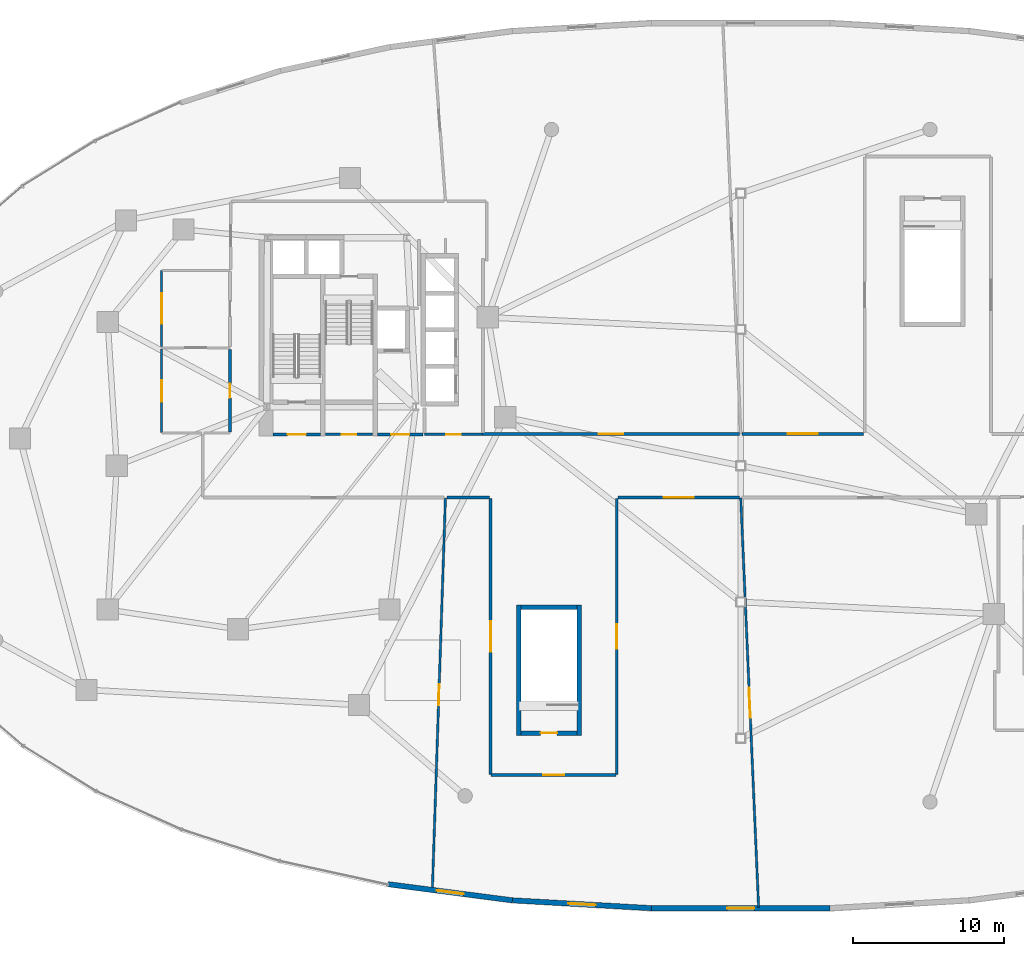
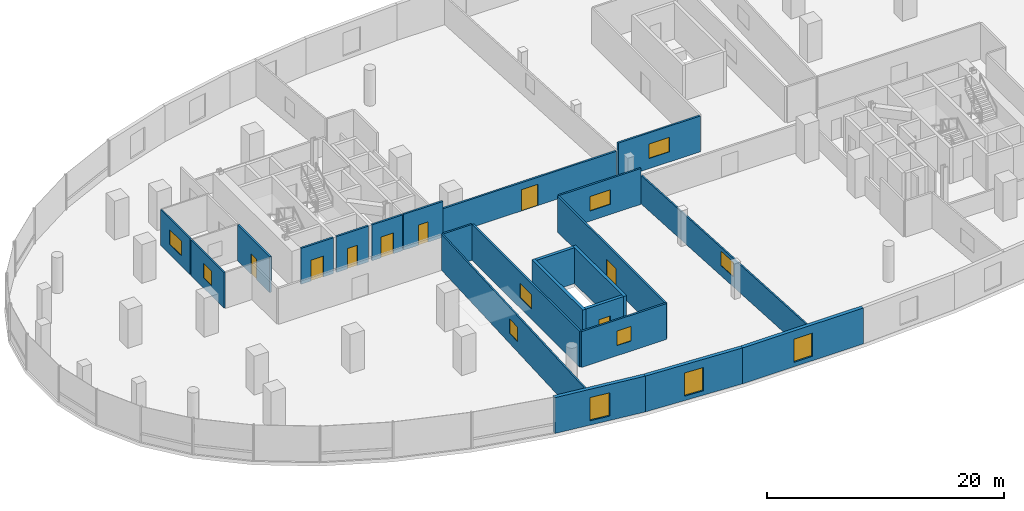
# One storey, part 12 of 18: 23 walls, 11 windows, 8 doors, 19 openings.
"""IFC4 building model written with IfcOpenShell, lengths in metres."""

from ifc_helpers import new_model, si_unit, direction, frame, frame_2d, origin, place, context, subcontext, project, spatial, rectangle, extrude, material, layer, layer_set, type_object, element, fill, save


model = new_model("IFC4")

# Units and contexts
model_context = context("Model", 3, precision=1e-05, world=origin(), true_north=direction((0.0, 1.0)))
body_context = subcontext(model_context, "Body", "Model", "MODEL_VIEW")
ifc_project = project(units=[si_unit("LENGTHUNIT", "METRE"), si_unit("AREAUNIT", "SQUARE_METRE"), si_unit("VOLUMEUNIT", "CUBIC_METRE"), si_unit("PLANEANGLEUNIT", "RADIAN"), si_unit("MASSUNIT", "GRAM", prefix="KILO"), si_unit("THERMODYNAMICTEMPERATUREUNIT", "KELVIN"), si_unit("POWERUNIT", "WATT")], contexts=[model_context])

# Site, building, storey
site_placement = place(None, origin())
site = spatial("IfcSite", under=ifc_project, at=site_placement, CompositionType="ELEMENT")
building_placement = place(site_placement, origin())
building = spatial("IfcBuilding", under=site, at=building_placement, Name="Cundina Bronze Exchange", CompositionType="ELEMENT")
storey_placement = place(building_placement, frame((0.0, 0.0, 20.0)))
storey = spatial("IfcBuildingStorey", under=building, at=storey_placement, Name="L04", CompositionType="ELEMENT", Elevation=20.0)

# Wall, opening, door
ifc_material_1 = material(Name="Gypsum Fireboard Partition EI120")
ifc_layer_1 = layer(ifc_material_1, 0.179931640625, Name="Gypsum Fireboard Partition EI120")
ifc_layer_set_1 = layer_set([ifc_layer_1], Name="Gypsum Fireboard Partition EI120")
wall_type_1 = type_object("IfcWallType", Name="WL-COR-180", PredefinedType="PARTITIONING", material=ifc_layer_set_1)
wall_1_placement = place(storey_placement, frame((-23.97998046875, 2.06005859375, 0.0), z_axis=(0.0, 0.0, 1.0), x_axis=(1.0, 0.0, 0.0)))
wall_1 = element("IfcWall", 1, at=wall_1_placement, inside=storey, type_object=wall_type_1, Name="L04 W Firefighting Lobby Exit Wall", PredefinedType="PARTITIONING", context=body_context, shape_type="SweptSolid", body=[
    extrude(rectangle(XDim=3.0, YDim=0.179931640625, at=frame_2d((1.5, 0.0))), origin(), (0.0, 0.0, 1.0), 3.699951171875),
])
opening_1_placement = place(wall_1_placement, frame((0.89990234375, 0.0, 0.0)))
opening_1 = element("IfcOpeningElement", 2, at=opening_1_placement, cuts=wall_1, Name="Opening DF-01", PredefinedType="OPENING", context=body_context, shape_type="SweptSolid", body=[
    extrude(rectangle(XDim=1.199951171875, YDim=2.14990234375, at=frame_2d((0.60009765625, 1.074951171875))), frame((0.0, 0.099853515625, 0.0), z_axis=(0.0, -1.0, 0.0), x_axis=(1.0, 0.0, 0.0)), (0.0, 0.0, 1.0), 0.199951171875),
])
ifc_material_2 = material(Name="Steel ASTM A36 Painted", Category="steel")
door_type_1 = type_object("IfcDoorType", Name="DR-FFL-1200", OperationType="NOTDEFINED", PredefinedType="DOOR", material=ifc_material_2)
door_1_placement = place(opening_1_placement, origin())
door_1 = element("IfcDoor", 3, at=door_1_placement, inside=storey, type_object=door_type_1, Name="L04 W Firefighting Lobby Door", OperationType="SINGLE_SWING_RIGHT", OverallHeight=2.14990234375, OverallWidth=1.199951171875, PredefinedType="DOOR", context=body_context, shape_type="SweptSolid", body=[
    extrude(rectangle(XDim=1.199951171875, YDim=2.14990234375, at=frame_2d((0.60009765625, 1.074951171875))), frame((0.0, 0.02490234375, 0.0), z_axis=(0.0, -1.0, 0.0), x_axis=(1.0, 0.0, 0.0)), (0.0, 0.0, 1.0), 0.050048828125),
])
fill(opening_1, door_1)

wall_2_placement = place(storey_placement, frame((-30.89990234375, 2.06005859375, 0.0), z_axis=(0.0, 0.0, 1.0), x_axis=(1.0, 0.0, 0.0)))
wall_2 = element("IfcWall", 4, at=wall_2_placement, inside=storey, type_object=wall_type_1, Name="L04 W Stair Vestibule Exit Wall", PredefinedType="PARTITIONING", context=body_context, shape_type="SweptSolid", body=[
    extrude(rectangle(XDim=3.159912109375, YDim=0.179931640625, at=frame_2d((1.580078125, 0.0))), origin(), (0.0, 0.0, 1.0), 3.699951171875),
])
opening_2_placement = place(wall_2_placement, frame((0.97998046875, 0.0, 0.0)))
opening_2 = element("IfcOpeningElement", 5, at=opening_2_placement, cuts=wall_2, Name="Opening DF-01", PredefinedType="OPENING", context=body_context, shape_type="SweptSolid", body=[
    extrude(rectangle(XDim=1.199951171875, YDim=2.14990234375, at=frame_2d((0.60009765625, 1.074951171875))), frame((0.0, 0.099853515625, 0.0), z_axis=(0.0, -1.0, 0.0), x_axis=(1.0, 0.0, 0.0)), (0.0, 0.0, 1.0), 0.199951171875),
])
door_2_placement = place(opening_2_placement, origin())
door_2 = element("IfcDoor", 6, at=door_2_placement, inside=storey, type_object=door_type_1, Name="L04 W Stair Vestibule Door", OperationType="SINGLE_SWING_LEFT", OverallHeight=2.14990234375, OverallWidth=1.199951171875, PredefinedType="DOOR", context=body_context, shape_type="SweptSolid", body=[
    extrude(rectangle(XDim=1.199951171875, YDim=2.14990234375, at=frame_2d((0.60009765625, 1.074951171875))), frame((0.0, 0.02490234375, 0.0), z_axis=(0.0, -1.0, 0.0), x_axis=(1.0, 0.0, 0.0)), (0.0, 0.0, 1.0), 0.050048828125),
])
fill(opening_2, door_2)

wall_3_placement = place(storey_placement, frame((-20.8701171875, 2.070068359375, 0.0), z_axis=(0.0, 0.0, 1.0), x_axis=(1.0, 0.0, 0.0)))
wall_3 = element("IfcWall", 7, at=wall_3_placement, inside=storey, type_object=wall_type_1, Name="L04 Interior Partition 002", PredefinedType="PARTITIONING", context=body_context, shape_type="SweptSolid", body=[
    extrude(rectangle(XDim=3.830078125, YDim=0.179931640625, at=frame_2d((1.9150390625, 0.0))), origin(), (0.0, 0.0, 1.0), 3.699951171875),
])
opening_3_placement = place(wall_3_placement, frame((1.43994140625, 0.0, 0.0)))
opening_3 = element("IfcOpeningElement", 8, at=opening_3_placement, cuts=wall_3, Name="Opening DW-01", PredefinedType="OPENING", context=body_context, shape_type="SweptSolid", body=[
    extrude(rectangle(XDim=0.949951171875, YDim=2.10009765625, at=frame_2d((0.47509765625, 1.050048828125))), frame((0.0, 0.099853515625, 0.0), z_axis=(0.0, -1.0, 0.0), x_axis=(1.0, 0.0, 0.0)), (0.0, 0.0, 1.0), 0.199951171875),
])
ifc_material_3 = material(Name="Solid Andean Oak Timber Grade A", Category="wood")
door_type_2 = type_object("IfcDoorType", Name="DR-WC-950", OperationType="NOTDEFINED", PredefinedType="DOOR", material=ifc_material_3)
door_3_placement = place(opening_3_placement, origin())
door_3 = element("IfcDoor", 9, at=door_3_placement, inside=storey, type_object=door_type_2, Name="L04 Interior Door 002", OperationType="SINGLE_SWING_LEFT", OverallHeight=2.10009765625, OverallWidth=0.949951171875, PredefinedType="DOOR", context=body_context, shape_type="SweptSolid", body=[
    extrude(rectangle(XDim=0.949951171875, YDim=2.10009765625, at=frame_2d((0.47509765625, 1.050048828125))), frame((0.0, 0.02490234375, 0.0), z_axis=(0.0, -1.0, 0.0), x_axis=(1.0, 0.0, 0.0)), (0.0, 0.0, 1.0), 0.050048828125),
])
fill(opening_3, door_3)

wall_4_placement = place(storey_placement, frame((-27.419921875, 2.070068359375, 0.0), z_axis=(0.0, 0.0, 1.0), x_axis=(1.0, 0.0, 0.0)))
wall_4 = element("IfcWall", 10, at=wall_4_placement, inside=storey, type_object=wall_type_1, Name="L04 Interior Partition 005", PredefinedType="PARTITIONING", context=body_context, shape_type="SweptSolid", body=[
    extrude(rectangle(XDim=3.119873046875, YDim=0.179931640625, at=frame_2d((1.56005859375, 0.0))), origin(), (0.0, 0.0, 1.0), 3.699951171875),
])
opening_4_placement = place(wall_4_placement, frame((1.0849609375, 0.0, 0.0)))
opening_4 = element("IfcOpeningElement", 11, at=opening_4_placement, cuts=wall_4, Name="Opening DW-01", PredefinedType="OPENING", context=body_context, shape_type="SweptSolid", body=[
    extrude(rectangle(XDim=0.949951171875, YDim=2.10009765625, at=frame_2d((0.47509765625, 1.050048828125))), frame((0.0, 0.099853515625, 0.0), z_axis=(0.0, -1.0, 0.0), x_axis=(1.0, 0.0, 0.0)), (0.0, 0.0, 1.0), 0.199951171875),
])
door_4_placement = place(opening_4_placement, origin())
door_4 = element("IfcDoor", 12, at=door_4_placement, inside=storey, type_object=door_type_2, Name="L04 Interior Door 005", OperationType="SINGLE_SWING_LEFT", OverallHeight=2.10009765625, OverallWidth=0.949951171875, PredefinedType="DOOR", context=body_context, shape_type="SweptSolid", body=[
    extrude(rectangle(XDim=0.949951171875, YDim=2.10009765625, at=frame_2d((0.47509765625, 1.050048828125))), frame((0.0, 0.02490234375, 0.0), z_axis=(0.0, -1.0, 0.0), x_axis=(1.0, 0.0, 0.0)), (0.0, 0.0, 1.0), 0.050048828125),
])
fill(opening_4, door_4)

wall_5_placement = place(storey_placement, frame((-33.719970703125, 2.219970703125, 0.0), z_axis=(0.0, 0.0, 1.0), x_axis=(0.0, 1.0, 0.0)))
wall_5 = element("IfcWall", 13, at=wall_5_placement, inside=storey, type_object=wall_type_1, Name="L04 Interior Partition 017", PredefinedType="PARTITIONING", context=body_context, shape_type="SweptSolid", body=[
    extrude(rectangle(XDim=5.4599609375, YDim=0.179931640625, at=frame_2d((2.72998046875, 0.0))), origin(), (0.0, 0.0, 1.0), 3.699951171875),
])
opening_5_placement = place(wall_5_placement, frame((2.2548828125, 0.0, 0.0)))
opening_5 = element("IfcOpeningElement", 14, at=opening_5_placement, cuts=wall_5, Name="Opening DW-01", PredefinedType="OPENING", context=body_context, shape_type="SweptSolid", body=[
    extrude(rectangle(XDim=0.949951171875, YDim=2.10009765625, at=frame_2d((0.47509765625, 1.050048828125))), frame((0.0, 0.099853515625, 0.0), z_axis=(0.0, -1.0, 0.0), x_axis=(1.0, 0.0, 0.0)), (0.0, 0.0, 1.0), 0.199951171875),
])
door_5_placement = place(opening_5_placement, origin())
door_5 = element("IfcDoor", 15, at=door_5_placement, inside=storey, type_object=door_type_2, Name="L04 Interior Door 017", OperationType="SINGLE_SWING_LEFT", OverallHeight=2.10009765625, OverallWidth=0.949951171875, PredefinedType="DOOR", context=body_context, shape_type="SweptSolid", body=[
    extrude(rectangle(XDim=0.949951171875, YDim=2.10009765625, at=frame_2d((0.47509765625, 1.050048828125))), frame((0.0, 0.02490234375, 0.0), z_axis=(0.0, -1.0, 0.0), x_axis=(1.0, 0.0, 0.0)), (0.0, 0.0, 1.0), 0.050048828125),
])
fill(opening_5, door_5)

wall_6_placement = place(storey_placement, frame((-8.179931640625, -20.37841796875, 0.0), z_axis=(0.0, 0.0, 1.0), x_axis=(0.0, 1.0, 0.0)))
wall_6 = element("IfcWall", 16, at=wall_6_placement, inside=storey, type_object=wall_type_1, Name="L04 Interior Partition 027", PredefinedType="PARTITIONING", context=body_context, shape_type="SweptSolid", body=[
    extrude(rectangle(XDim=18.198486328125, YDim=0.179931640625, at=frame_2d((9.09912109375, 0.0))), origin(), (0.0, 0.0, 1.0), 3.699951171875),
])
opening_6_placement = place(wall_6_placement, frame((8.29931640625, 0.0, 0.0)))
opening_6 = element("IfcOpeningElement", 17, at=opening_6_placement, cuts=wall_6, Name="Opening DO-02", PredefinedType="OPENING", context=body_context, shape_type="SweptSolid", body=[
    extrude(rectangle(XDim=1.60009765625, YDim=2.199951171875, at=frame_2d((0.800048828125, 1.10009765625))), frame((0.0, 0.099853515625, 0.0), z_axis=(0.0, -1.0, 0.0), x_axis=(1.0, 0.0, 0.0)), (0.0, 0.0, 1.0), 0.199951171875),
])
door_type_3 = type_object("IfcDoorType", Name="DR-TRD-1600", OperationType="NOTDEFINED", PredefinedType="DOOR", material=ifc_material_3)
door_6_placement = place(opening_6_placement, origin())
door_6 = element("IfcDoor", 18, at=door_6_placement, inside=storey, type_object=door_type_3, Name="L04 Interior Door 027", OperationType="SINGLE_SWING_LEFT", OverallHeight=2.199951171875, OverallWidth=1.60009765625, PredefinedType="DOOR", context=body_context, shape_type="SweptSolid", body=[
    extrude(rectangle(XDim=1.60009765625, YDim=2.199951171875, at=frame_2d((0.800048828125, 1.10009765625))), frame((0.0, 0.02490234375, 0.0), z_axis=(0.0, -1.0, 0.0), x_axis=(1.0, 0.0, 0.0)), (0.0, 0.0, 1.0), 0.050048828125),
])
fill(opening_6, door_6)

# Wall, opening, window
wall_7_placement = place(storey_placement, frame((-16.52001953125, -2.179931640625, 0.0), z_axis=(0.0, 0.0, 1.0), x_axis=(0.0, -1.0, 0.0)))
wall_7 = element("IfcWall", 19, at=wall_7_placement, inside=storey, type_object=wall_type_1, Name="L04 Interior Partition 028", PredefinedType="PARTITIONING", context=body_context, shape_type="SweptSolid", body=[
    extrude(rectangle(XDim=18.198486328125, YDim=0.179931640625, at=frame_2d((9.09912109375, 0.0))), origin(), (0.0, 0.0, 1.0), 3.699951171875),
])
opening_7_placement = place(wall_7_placement, frame((8.09912109375, 0.0, 1.050048828125)))
opening_7 = element("IfcOpeningElement", 20, at=opening_7_placement, cuts=wall_7, Name="Opening WI-01", PredefinedType="OPENING", context=body_context, shape_type="SweptSolid", body=[
    extrude(rectangle(XDim=2.0, YDim=1.5, at=frame_2d((1.0, 0.75))), frame((0.0, 0.099853515625, 0.0), z_axis=(0.0, -1.0, 0.0), x_axis=(1.0, 0.0, 0.0)), (0.0, 0.0, 1.0), 0.199951171875),
])
ifc_material_4 = material(Name="Clear Low-E Insulating Glass 26mm", Category="glass")
window_type_1 = type_object("IfcWindowType", Name="WN-INT-2000", PartitioningType="SINGLE_PANEL", PredefinedType="WINDOW", material=ifc_material_4)
window_1_placement = place(opening_7_placement, origin())
window_1 = element("IfcWindow", 21, at=window_1_placement, inside=storey, type_object=window_type_1, Name="L04 Interior Acoustic Vision Window 028", OverallHeight=1.5, OverallWidth=2.0, PartitioningType="SINGLE_PANEL", PredefinedType="WINDOW", context=body_context, shape_type="SweptSolid", body=[
    extrude(rectangle(XDim=2.0, YDim=1.5, at=frame_2d((1.0, 0.75))), frame((0.0, 0.030029296875, 0.0), z_axis=(0.0, -1.0, 0.0), x_axis=(1.0, 0.0, 0.0)), (0.0, 0.0, 1.0), 0.06005859375),
])
fill(opening_7, window_1)

wall_8_placement = place(storey_placement, frame((-16.478515625, -20.419921875, 0.0), z_axis=(0.0, 0.0, 1.0), x_axis=(1.0, 0.0, 0.0)))
wall_8 = element("IfcWall", 22, at=wall_8_placement, inside=storey, type_object=wall_type_1, Name="L04 Interior Partition 029", PredefinedType="PARTITIONING", context=body_context, shape_type="SweptSolid", body=[
    extrude(rectangle(XDim=8.257080078125, YDim=0.179931640625, at=frame_2d((4.12841796875, 0.0))), origin(), (0.0, 0.0, 1.0), 3.699951171875),
])
opening_8_placement = place(wall_8_placement, frame((3.427978515625, 0.0, 1.050048828125)))
opening_8 = element("IfcOpeningElement", 23, at=opening_8_placement, cuts=wall_8, Name="Opening WI-02", PredefinedType="OPENING", context=body_context, shape_type="SweptSolid", body=[
    extrude(rectangle(XDim=1.39990234375, YDim=1.5, at=frame_2d((0.699951171875, 0.75))), frame((0.0, 0.099853515625, 0.0), z_axis=(0.0, -1.0, 0.0), x_axis=(1.0, 0.0, 0.0)), (0.0, 0.0, 1.0), 0.199951171875),
])
window_type_2 = type_object("IfcWindowType", Name="WN-INT-1400", PartitioningType="SINGLE_PANEL", PredefinedType="WINDOW", material=ifc_material_4)
window_2_placement = place(opening_8_placement, origin())
window_2 = element("IfcWindow", 24, at=window_2_placement, inside=storey, type_object=window_type_2, Name="L04 Interior Acoustic Vision Window 029", OverallHeight=1.5, OverallWidth=1.39990234375, PartitioningType="SINGLE_PANEL", PredefinedType="WINDOW", context=body_context, shape_type="SweptSolid", body=[
    extrude(rectangle(XDim=1.39990234375, YDim=1.5, at=frame_2d((0.699951171875, 0.75))), frame((0.0, 0.030029296875, 0.0), z_axis=(0.0, -1.0, 0.0), x_axis=(1.0, 0.0, 0.0)), (0.0, 0.0, 1.0), 0.06005859375),
])
fill(opening_8, window_2)

wall_9_placement = place(storey_placement, frame((-8.10009765625, -2.10009765625, 0.0), z_axis=(0.0, 0.0, 1.0), x_axis=(1.0, 0.0, 0.0)))
wall_9 = element("IfcWall", 25, at=wall_9_placement, inside=storey, type_object=wall_type_1, Name="L04 Interior Partition 030", PredefinedType="PARTITIONING", context=body_context, shape_type="SweptSolid", body=[
    extrude(rectangle(XDim=8.005126953125, YDim=0.179931640625, at=frame_2d((4.00244140625, 0.0))), origin(), (0.0, 0.0, 1.0), 3.699951171875),
])
opening_9_placement = place(wall_9_placement, frame((3.001953125, 0.0, 1.050048828125)))
opening_9 = element("IfcOpeningElement", 26, at=opening_9_placement, cuts=wall_9, Name="Opening WI-01", PredefinedType="OPENING", context=body_context, shape_type="SweptSolid", body=[
    extrude(rectangle(XDim=2.0, YDim=1.5, at=frame_2d((1.0, 0.75))), frame((0.0, 0.099853515625, 0.0), z_axis=(0.0, -1.0, 0.0), x_axis=(1.0, 0.0, 0.0)), (0.0, 0.0, 1.0), 0.199951171875),
])
window_3_placement = place(opening_9_placement, origin())
window_3 = element("IfcWindow", 27, at=window_3_placement, inside=storey, type_object=window_type_1, Name="L04 Interior Acoustic Vision Window 030", OverallHeight=1.5, OverallWidth=2.0, PartitioningType="SINGLE_PANEL", PredefinedType="WINDOW", context=body_context, shape_type="SweptSolid", body=[
    extrude(rectangle(XDim=2.0, YDim=1.5, at=frame_2d((1.0, 0.75))), frame((0.0, 0.030029296875, 0.0), z_axis=(0.0, -1.0, 0.0), x_axis=(1.0, 0.0, 0.0)), (0.0, 0.0, 1.0), 0.06005859375),
])
fill(opening_9, window_3)

# Wall
wall_10_placement = place(storey_placement, frame((-19.405029296875, -2.10009765625, 0.0), z_axis=(0.0, 0.0, 1.0), x_axis=(1.0, 0.0, 0.0)))
element("IfcWall", 28, at=wall_10_placement, inside=storey, type_object=wall_type_1, Name="L04 Interior Partition 031", PredefinedType="PARTITIONING", context=body_context, shape_type="SweptSolid", body=[
    extrude(rectangle(XDim=2.804931640625, YDim=0.179931640625, at=frame_2d((1.40234375, 0.0))), origin(), (0.0, 0.0, 1.0), 3.699951171875),
])

# Wall, opening, door
wall_11_placement = place(storey_placement, frame((-0.094970703125, 2.10009765625, 0.0), z_axis=(0.0, 0.0, 1.0), x_axis=(-1.0, 0.0, 0.0)))
wall_11 = element("IfcWall", 29, at=wall_11_placement, inside=storey, type_object=wall_type_1, Name="L04 Interior Partition 044", PredefinedType="PARTITIONING", context=body_context, shape_type="SweptSolid", body=[
    extrude(rectangle(XDim=16.945068359375, YDim=0.179931640625, at=frame_2d((8.47265625, 0.0))), origin(), (0.0, 0.0, 1.0), 2.922119140625),
])
opening_10_placement = place(wall_11_placement, frame((7.672607421875, 0.0, 0.0)))
opening_10 = element("IfcOpeningElement", 30, at=opening_10_placement, cuts=wall_11, Name="Opening DO-02", PredefinedType="OPENING", context=body_context, shape_type="SweptSolid", body=[
    extrude(rectangle(XDim=1.60009765625, YDim=2.199951171875, at=frame_2d((0.800048828125, 1.10009765625))), frame((0.0, 0.099853515625, 0.0), z_axis=(0.0, -1.0, 0.0), x_axis=(1.0, 0.0, 0.0)), (0.0, 0.0, 1.0), 0.199951171875),
])
door_7_placement = place(opening_10_placement, origin())
door_7 = element("IfcDoor", 31, at=door_7_placement, inside=storey, type_object=door_type_3, Name="L04 Interior Door 044", OperationType="SINGLE_SWING_RIGHT", OverallHeight=2.199951171875, OverallWidth=1.60009765625, PredefinedType="DOOR", context=body_context, shape_type="SweptSolid", body=[
    extrude(rectangle(XDim=1.60009765625, YDim=2.199951171875, at=frame_2d((0.800048828125, 1.10009765625))), frame((0.0, 0.02490234375, 0.0), z_axis=(0.0, -1.0, 0.0), x_axis=(1.0, 0.0, 0.0)), (0.0, 0.0, 1.0), 0.050048828125),
])
fill(opening_10, door_7)

# Wall, opening, window
wall_12_placement = place(storey_placement, frame((8.10009765625, 2.10009765625, 0.0), z_axis=(0.0, 0.0, 1.0), x_axis=(-1.0, 0.0, 0.0)))
wall_12 = element("IfcWall", 32, at=wall_12_placement, inside=storey, type_object=wall_type_1, Name="L04 Interior Partition 050", PredefinedType="PARTITIONING", context=body_context, shape_type="SweptSolid", body=[
    extrude(rectangle(XDim=8.005126953125, YDim=0.179931640625, at=frame_2d((4.00244140625, 0.0))), origin(), (0.0, 0.0, 1.0), 3.699951171875),
])
opening_11_placement = place(wall_12_placement, frame((3.001953125, 0.0, 1.050048828125)))
opening_11 = element("IfcOpeningElement", 33, at=opening_11_placement, cuts=wall_12, Name="Opening WI-01", PredefinedType="OPENING", context=body_context, shape_type="SweptSolid", body=[
    extrude(rectangle(XDim=2.0, YDim=1.5, at=frame_2d((1.0, 0.75))), frame((0.0, 0.099853515625, 0.0), z_axis=(0.0, -1.0, 0.0), x_axis=(1.0, 0.0, 0.0)), (0.0, 0.0, 1.0), 0.199951171875),
])
window_4_placement = place(opening_11_placement, origin())
window_4 = element("IfcWindow", 34, at=window_4_placement, inside=storey, type_object=window_type_1, Name="L04 Interior Acoustic Vision Window 050", OverallHeight=1.5, OverallWidth=2.0, PartitioningType="SINGLE_PANEL", PredefinedType="WINDOW", context=body_context, shape_type="SweptSolid", body=[
    extrude(rectangle(XDim=2.0, YDim=1.5, at=frame_2d((1.0, 0.75))), frame((0.0, 0.030029296875, 0.0), z_axis=(0.0, -1.0, 0.0), x_axis=(1.0, 0.0, 0.0)), (0.0, 0.0, 1.0), 0.06005859375),
])
fill(opening_11, window_4)

ifc_material_5 = material(Name="Concrete C40/50", Category="concrete")
ifc_layer_2 = layer(ifc_material_5, 0.35009765625, Name="Concrete C40/50", Category="concrete")
ifc_layer_set_2 = layer_set([ifc_layer_2], Name="Concrete C40/50")
wall_type_2 = type_object("IfcWallType", Name="WL-EXT-350", PredefinedType="SOLIDWALL", material=ifc_layer_set_2)
wall_13_placement = place(storey_placement, frame((-23.29345703125, -27.63232421875, 0.0), z_axis=(0.0, 0.0, 1.0), x_axis=(0.99168663472, -0.128676410104, 0.0)))
wall_13 = element("IfcWall", 35, at=wall_13_placement, inside=storey, type_object=wall_type_2, Name="L04 Podium Exterior Wall 30", PredefinedType="SOLIDWALL", context=body_context, shape_type="SweptSolid", body=[
    extrude(rectangle(XDim=8.28369140625, YDim=0.35009765625, at=frame_2d((4.141845703125, 0.0))), origin(), (0.0, 0.0, 1.0), 3.699951171875),
])
opening_12_placement = place(wall_13_placement, frame((3.241943359375, 0.0, 0.449951171875)))
opening_12 = element("IfcOpeningElement", 36, at=opening_12_placement, cuts=wall_13, Name="Opening W-02", PredefinedType="OPENING", context=body_context, shape_type="SweptSolid", body=[
    extrude(rectangle(XDim=1.800048828125, YDim=2.39990234375, at=frame_2d((0.89990234375, 1.199951171875))), frame((0.0, 0.18505859375, 0.0), z_axis=(0.0, -1.0, 0.0), x_axis=(1.0, 0.0, 0.0)), (0.0, 0.0, 1.0), 0.3701171875),
])
ifc_material_6 = material(Name="Heat-Strengthened Solar-Control Bronze Safety Glass 28mm", Category="glass")
window_type_3 = type_object("IfcWindowType", Name="WN-POD-1800", PartitioningType="SINGLE_PANEL", PredefinedType="WINDOW", material=ifc_material_6)
window_5_placement = place(opening_12_placement, origin())
window_5 = element("IfcWindow", 37, at=window_5_placement, inside=storey, type_object=window_type_3, Name="L04 Podium Punched Window 30", OverallHeight=2.39990234375, OverallWidth=1.800048828125, PartitioningType="SINGLE_PANEL", PredefinedType="WINDOW", context=body_context, shape_type="SweptSolid", body=[
    extrude(rectangle(XDim=1.800048828125, YDim=2.39990234375, at=frame_2d((0.89990234375, 1.199951171875))), frame((0.0, 0.030029296875, 0.0), z_axis=(0.0, -1.0, 0.0), x_axis=(1.0, 0.0, 0.0)), (0.0, 0.0, 1.0), 0.06005859375),
])
fill(opening_12, window_5)

wall_14_placement = place(storey_placement, frame((-15.07861328125, -28.6982421875, 0.0), z_axis=(0.0, 0.0, 1.0), x_axis=(0.998413463137, -0.056307695976, 0.0)))
wall_14 = element("IfcWall", 38, at=wall_14_placement, inside=storey, type_object=wall_type_2, Name="L04 Podium Exterior Wall 31", PredefinedType="SOLIDWALL", context=body_context, shape_type="SweptSolid", body=[
    extrude(rectangle(XDim=9.20068359375, YDim=0.35009765625, at=frame_2d((4.600341796875, 0.0))), origin(), (0.0, 0.0, 1.0), 3.699951171875),
])
opening_13_placement = place(wall_14_placement, frame((3.699951171875, 0.0, 0.449951171875)))
opening_13 = element("IfcOpeningElement", 39, at=opening_13_placement, cuts=wall_14, Name="Opening W-02", PredefinedType="OPENING", context=body_context, shape_type="SweptSolid", body=[
    extrude(rectangle(XDim=1.800048828125, YDim=2.39990234375, at=frame_2d((0.89990234375, 1.199951171875))), frame((0.0, 0.18505859375, 0.0), z_axis=(0.0, -1.0, 0.0), x_axis=(1.0, 0.0, 0.0)), (0.0, 0.0, 1.0), 0.3701171875),
])
window_6_placement = place(opening_13_placement, origin())
window_6 = element("IfcWindow", 40, at=window_6_placement, inside=storey, type_object=window_type_3, Name="L04 Podium Punched Window 31", OverallHeight=2.39990234375, OverallWidth=1.800048828125, PartitioningType="SINGLE_PANEL", PredefinedType="WINDOW", context=body_context, shape_type="SweptSolid", body=[
    extrude(rectangle(XDim=1.800048828125, YDim=2.39990234375, at=frame_2d((0.89990234375, 1.199951171875))), frame((0.0, 0.030029296875, 0.0), z_axis=(0.0, -1.0, 0.0), x_axis=(1.0, 0.0, 0.0)), (0.0, 0.0, 1.0), 0.06005859375),
])
fill(opening_13, window_6)

wall_15_placement = place(storey_placement, frame((-5.892578125, -29.21630859375, 0.0), z_axis=(0.0, 0.0, 1.0), x_axis=(1.0, 0.0, 0.0)))
wall_15 = element("IfcWall", 41, at=wall_15_placement, inside=storey, type_object=wall_type_2, Name="L04 Podium Exterior Wall 32", PredefinedType="SOLIDWALL", context=body_context, shape_type="SweptSolid", body=[
    extrude(rectangle(XDim=11.78515625, YDim=0.35009765625, at=frame_2d((5.892578125, 0.0))), origin(), (0.0, 0.0, 1.0), 3.699951171875),
])
opening_14_placement = place(wall_15_placement, frame((4.991943359375, 0.0, 0.449951171875)))
opening_14 = element("IfcOpeningElement", 42, at=opening_14_placement, cuts=wall_15, Name="Opening W-02", PredefinedType="OPENING", context=body_context, shape_type="SweptSolid", body=[
    extrude(rectangle(XDim=1.800048828125, YDim=2.39990234375, at=frame_2d((0.89990234375, 1.199951171875))), frame((0.0, 0.18505859375, 0.0), z_axis=(0.0, -1.0, 0.0), x_axis=(1.0, 0.0, 0.0)), (0.0, 0.0, 1.0), 0.3701171875),
])
window_7_placement = place(opening_14_placement, origin())
window_7 = element("IfcWindow", 43, at=window_7_placement, inside=storey, type_object=window_type_3, Name="L04 Podium Punched Window 32", OverallHeight=2.39990234375, OverallWidth=1.800048828125, PartitioningType="SINGLE_PANEL", PredefinedType="WINDOW", context=body_context, shape_type="SweptSolid", body=[
    extrude(rectangle(XDim=1.800048828125, YDim=2.39990234375, at=frame_2d((0.89990234375, 1.199951171875))), frame((0.0, 0.030029296875, 0.0), z_axis=(0.0, -1.0, 0.0), x_axis=(1.0, 0.0, 0.0)), (0.0, 0.0, 1.0), 0.06005859375),
])
fill(opening_14, window_7)

# Walls
ifc_material_7 = material(Name="Concrete C50/60", Category="concrete")
ifc_layer_3 = layer(ifc_material_7, 0.300048828125, Name="Concrete C50/60", Category="concrete")
ifc_layer_set_3 = layer_set([ifc_layer_3], Name="Concrete C50/60")
wall_type_3 = type_object("IfcWallType", Name="WL-SHFT-300", PredefinedType="SHEAR", material=ifc_layer_set_3)
for number, where, z_axis, x_axis, name in (
    (44, (-14.669921875, -17.800048828125, 0.0), (0.0, 0.0, 1.0), (0.0, 1.0, 0.0), "L04 Concourse Stair W West Shaft Wall"),
    (45, (-10.669921875, -17.800048828125, 0.0), (0.0, 0.0, 1.0), (0.0, 1.0, 0.0), "L04 Concourse Stair W East Shaft Wall"),
):
    element("IfcWall", number, at=place(storey_placement, frame(where, z_axis=z_axis, x_axis=x_axis)), inside=storey, type_object=wall_type_3, Name=name, PredefinedType="SHEAR", context=body_context, shape_type="SweptSolid", body=[
        extrude(rectangle(XDim=8.60009765625, YDim=0.300048828125, at=frame_2d((4.300048828125, 0.0))), origin(), (0.0, 0.0, 1.0), 3.699951171875),
    ])

# Wall, opening, door
wall_16_placement = place(storey_placement, frame((-14.52001953125, -17.64990234375, 0.0), z_axis=(0.0, 0.0, 1.0), x_axis=(1.0, 0.0, 0.0)))
wall_16 = element("IfcWall", 46, at=wall_16_placement, inside=storey, type_object=wall_type_3, Name="L04 Concourse Stair W Landing Wall", PredefinedType="SHEAR", context=body_context, shape_type="SweptSolid", body=[
    extrude(rectangle(XDim=3.699951171875, YDim=0.300048828125, at=frame_2d((1.85009765625, 0.0))), origin(), (0.0, 0.0, 1.0), 3.699951171875),
])
opening_15_placement = place(wall_16_placement, frame((1.300048828125, 0.0, 0.0)))
opening_15 = element("IfcOpeningElement", 47, at=opening_15_placement, cuts=wall_16, Name="Opening DS-01", PredefinedType="OPENING", context=body_context, shape_type="SweptSolid", body=[
    extrude(rectangle(XDim=1.10009765625, YDim=2.14990234375, at=frame_2d((0.550048828125, 1.074951171875))), frame((0.0, 0.159912109375, 0.0), z_axis=(0.0, -1.0, 0.0), x_axis=(1.0, 0.0, 0.0)), (0.0, 0.0, 1.0), 0.320068359375),
])
door_type_4 = type_object("IfcDoorType", Name="DR-STR-1100", OperationType="NOTDEFINED", PredefinedType="DOOR", material=ifc_material_2)
door_8_placement = place(opening_15_placement, origin())
door_8 = element("IfcDoor", 48, at=door_8_placement, inside=storey, type_object=door_type_4, Name="L04 Concourse Stair W Door", OperationType="SINGLE_SWING_LEFT", OverallHeight=2.14990234375, OverallWidth=1.10009765625, PredefinedType="DOOR", context=body_context, shape_type="SweptSolid", body=[
    extrude(rectangle(XDim=1.10009765625, YDim=2.14990234375, at=frame_2d((0.550048828125, 1.074951171875))), frame((0.0, 0.02490234375, 0.0), z_axis=(0.0, -1.0, 0.0), x_axis=(1.0, 0.0, 0.0)), (0.0, 0.0, 1.0), 0.050048828125),
])
fill(opening_15, door_8)

# Wall
wall_17_placement = place(storey_placement, frame((-14.52001953125, -9.35009765625, 0.0), z_axis=(0.0, 0.0, 1.0), x_axis=(1.0, 0.0, 0.0)))
element("IfcWall", 49, at=wall_17_placement, inside=storey, type_object=wall_type_3, Name="L04 Concourse Stair W Far Shaft Wall", PredefinedType="SHEAR", context=body_context, shape_type="SweptSolid", body=[
    extrude(rectangle(XDim=3.699951171875, YDim=0.300048828125, at=frame_2d((1.85009765625, 0.0))), origin(), (0.0, 0.0, 1.0), 3.699951171875),
])

# Wall, opening, window
ifc_material_8 = material(Name="Gypsum Acoustic Partition EI60")
ifc_layer_4 = layer(ifc_material_8, 0.14990234375, Name="Gypsum Acoustic Partition EI60")
ifc_layer_set_4 = layer_set([ifc_layer_4], Name="Gypsum Acoustic Partition EI60")
wall_type_4 = type_object("IfcWallType", Name="WL-TEN-150", PredefinedType="PARTITIONING", material=ifc_layer_set_4)
wall_18_placement = place(storey_placement, frame((-20.3671875, -28.09814453125, 0.0), z_axis=(0.0, 0.0, 1.0), x_axis=(0.033375525231, 0.999442881968, 0.0)))
wall_18 = element("IfcWall", 50, at=wall_18_placement, inside=storey, type_object=wall_type_4, Name="L04 Interior Partition 019", PredefinedType="PARTITIONING", context=body_context, shape_type="SweptSolid", body=[
    extrude(rectangle(XDim=25.982666015625, YDim=0.14990234375, at=frame_2d((12.9912109375, 0.0))), origin(), (0.0, 0.0, 1.0), 3.699951171875),
])
opening_16_placement = place(wall_18_placement, frame((12.291015625, 0.0, 1.050048828125)))
opening_16 = element("IfcOpeningElement", 51, at=opening_16_placement, cuts=wall_18, Name="Opening WI-02", PredefinedType="OPENING", context=body_context, shape_type="SweptSolid", body=[
    extrude(rectangle(XDim=1.39990234375, YDim=1.5, at=frame_2d((0.699951171875, 0.75))), frame((0.0, 0.0849609375, 0.0), z_axis=(0.0, -1.0, 0.0), x_axis=(1.0, 0.0, 0.0)), (0.0, 0.0, 1.0), 0.169921875),
])
window_8_placement = place(opening_16_placement, origin())
window_8 = element("IfcWindow", 52, at=window_8_placement, inside=storey, type_object=window_type_2, Name="L04 Interior Acoustic Vision Window 019", OverallHeight=1.5, OverallWidth=1.39990234375, PartitioningType="SINGLE_PANEL", PredefinedType="WINDOW", context=body_context, shape_type="SweptSolid", body=[
    extrude(rectangle(XDim=1.39990234375, YDim=1.5, at=frame_2d((0.699951171875, 0.75))), frame((0.0, 0.030029296875, 0.0), z_axis=(0.0, -1.0, 0.0), x_axis=(1.0, 0.0, 0.0)), (0.0, 0.0, 1.0), 0.06005859375),
])
fill(opening_16, window_8)

wall_19_placement = place(storey_placement, frame((1.179443359375, -29.179931640625, 0.0), z_axis=(0.0, 0.0, 1.0), x_axis=(-0.043560875221, 0.999050774561, 0.0)))
wall_19 = element("IfcWall", 53, at=wall_19_placement, inside=storey, type_object=wall_type_4, Name="L04 Interior Partition 022", PredefinedType="PARTITIONING", context=body_context, shape_type="SweptSolid", body=[
    extrude(rectangle(XDim=27.07568359375, YDim=0.14990234375, at=frame_2d((13.537841796875, 0.0))), origin(), (0.0, 0.0, 1.0), 2.922119140625),
])
opening_17_placement = place(wall_19_placement, frame((12.5380859375, 0.0, 1.050048828125)))
opening_17 = element("IfcOpeningElement", 54, at=opening_17_placement, cuts=wall_19, Name="Opening WI-01", PredefinedType="OPENING", context=body_context, shape_type="SweptSolid", body=[
    extrude(rectangle(XDim=2.0, YDim=1.5, at=frame_2d((1.0, 0.75))), frame((0.0, 0.0849609375, 0.0), z_axis=(0.0, -1.0, 0.0), x_axis=(1.0, 0.0, 0.0)), (0.0, 0.0, 1.0), 0.169921875),
])
window_9_placement = place(opening_17_placement, origin())
window_9 = element("IfcWindow", 55, at=window_9_placement, inside=storey, type_object=window_type_1, Name="L04 Interior Acoustic Vision Window 022", OverallHeight=1.5, OverallWidth=2.0, PartitioningType="SINGLE_PANEL", PredefinedType="WINDOW", context=body_context, shape_type="SweptSolid", body=[
    extrude(rectangle(XDim=2.0, YDim=1.5, at=frame_2d((1.0, 0.75))), frame((0.0, 0.030029296875, 0.0), z_axis=(0.0, -1.0, 0.0), x_axis=(1.0, 0.0, 0.0)), (0.0, 0.0, 1.0), 0.06005859375),
])
fill(opening_17, window_9)

ifc_material_9 = material(Name="Moisture-Resistant Masonry Block Grade M15", Category="masonry")
ifc_layer_5 = layer(ifc_material_9, 0.139892578125, Name="Moisture-Resistant Masonry Block Grade M15", Category="masonry")
ifc_layer_set_5 = layer_set([ifc_layer_5], Name="Moisture-Resistant Masonry Block Grade M15")
wall_type_5 = type_object("IfcWallType", Name="WL-WET-140", PredefinedType="PARTITIONING", material=ifc_layer_set_5)
wall_20_placement = place(storey_placement, frame((-38.239990234375, 2.179931640625, 0.0), z_axis=(0.0, 0.0, 1.0), x_axis=(0.0, 1.0, 0.0)))
wall_20 = element("IfcWall", 56, at=wall_20_placement, inside=storey, type_object=wall_type_5, Name="L04 Interior Partition 011", PredefinedType="PARTITIONING", context=body_context, shape_type="SweptSolid", body=[
    extrude(rectangle(XDim=5.51513671875, YDim=0.139892578125, at=frame_2d((2.757568359375, 0.0))), origin(), (0.0, 0.0, 1.0), 3.699951171875),
])
opening_18_placement = place(wall_20_placement, frame((2.05810546875, 0.0, 1.050048828125)))
opening_18 = element("IfcOpeningElement", 57, at=opening_18_placement, cuts=wall_20, Name="Opening WI-02", PredefinedType="OPENING", context=body_context, shape_type="SweptSolid", body=[
    extrude(rectangle(XDim=1.39990234375, YDim=1.5, at=frame_2d((0.699951171875, 0.75))), frame((0.0, 0.079833984375, 0.0), z_axis=(0.0, -1.0, 0.0), x_axis=(1.0, 0.0, 0.0)), (0.0, 0.0, 1.0), 0.159912109375),
])
window_10_placement = place(opening_18_placement, origin())
window_10 = element("IfcWindow", 58, at=window_10_placement, inside=storey, type_object=window_type_2, Name="L04 Interior Acoustic Vision Window 011", OverallHeight=1.5, OverallWidth=1.39990234375, PartitioningType="SINGLE_PANEL", PredefinedType="WINDOW", context=body_context, shape_type="SweptSolid", body=[
    extrude(rectangle(XDim=1.39990234375, YDim=1.5, at=frame_2d((0.699951171875, 0.75))), frame((0.0, 0.030029296875, 0.0), z_axis=(0.0, -1.0, 0.0), x_axis=(1.0, 0.0, 0.0)), (0.0, 0.0, 1.0), 0.06005859375),
])
fill(opening_18, window_10)

wall_21_placement = place(storey_placement, frame((-38.239990234375, 7.864990234375, 0.0), z_axis=(0.0, 0.0, 1.0), x_axis=(0.0, 1.0, 0.0)))
wall_21 = element("IfcWall", 59, at=wall_21_placement, inside=storey, type_object=wall_type_5, Name="L04 Interior Partition 012", PredefinedType="PARTITIONING", context=body_context, shape_type="SweptSolid", body=[
    extrude(rectangle(XDim=5.014892578125, YDim=0.139892578125, at=frame_2d((2.50732421875, 0.0))), origin(), (0.0, 0.0, 1.0), 3.699951171875),
])
opening_19_placement = place(wall_21_placement, frame((1.508056640625, 0.0, 1.050048828125)))
opening_19 = element("IfcOpeningElement", 60, at=opening_19_placement, cuts=wall_21, Name="Opening WI-01", PredefinedType="OPENING", context=body_context, shape_type="SweptSolid", body=[
    extrude(rectangle(XDim=2.0, YDim=1.5, at=frame_2d((1.0, 0.75))), frame((0.0, 0.079833984375, 0.0), z_axis=(0.0, -1.0, 0.0), x_axis=(1.0, 0.0, 0.0)), (0.0, 0.0, 1.0), 0.159912109375),
])
window_11_placement = place(opening_19_placement, origin())
window_11 = element("IfcWindow", 61, at=window_11_placement, inside=storey, type_object=window_type_1, Name="L04 Interior Acoustic Vision Window 012", OverallHeight=1.5, OverallWidth=2.0, PartitioningType="SINGLE_PANEL", PredefinedType="WINDOW", context=body_context, shape_type="SweptSolid", body=[
    extrude(rectangle(XDim=2.0, YDim=1.5, at=frame_2d((1.0, 0.75))), frame((0.0, 0.030029296875, 0.0), z_axis=(0.0, -1.0, 0.0), x_axis=(1.0, 0.0, 0.0)), (0.0, 0.0, 1.0), 0.06005859375),
])
fill(opening_19, window_11)

save(model, "model.ifc")
